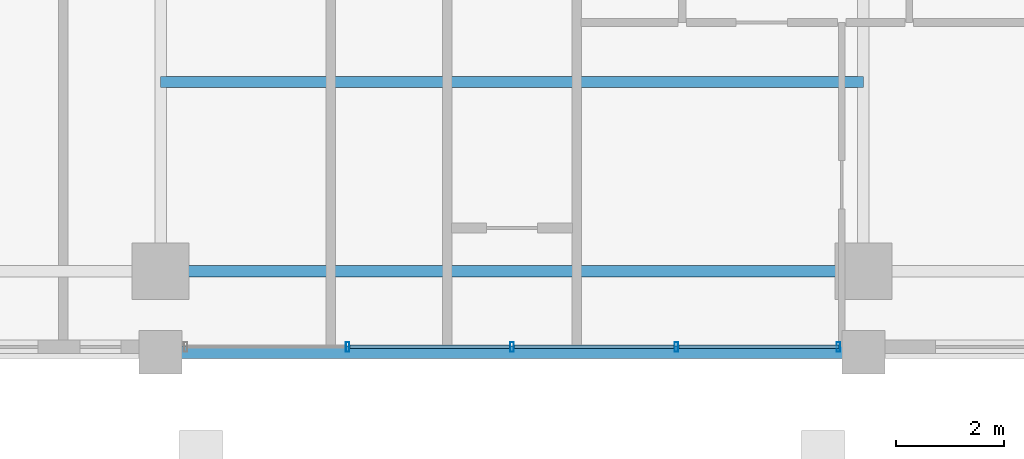
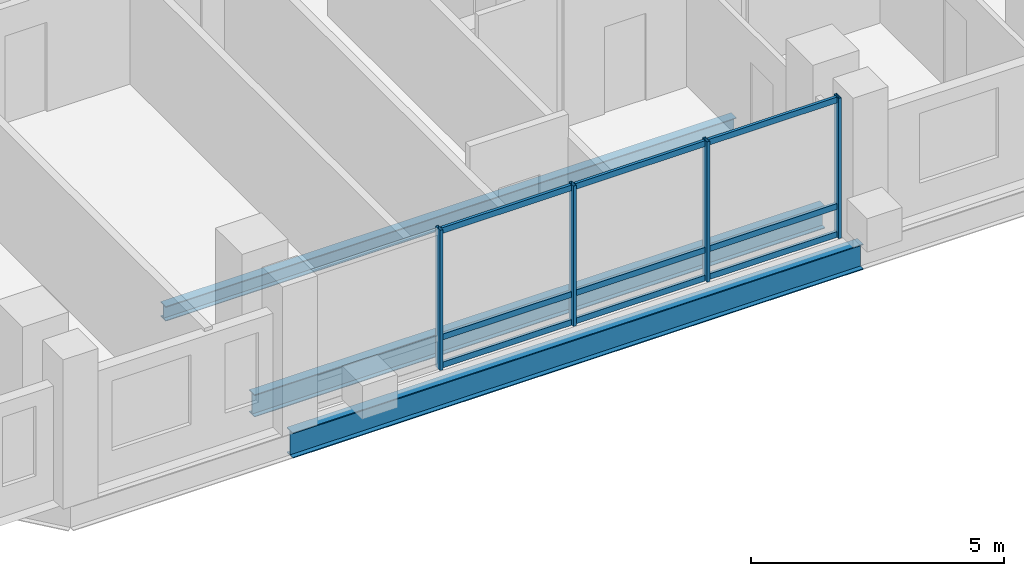
# One storey, part 4 of 24: 13 members, 3 beams, 1 element without a shape of its own.
"""IFC4 building model written with IfcOpenShell, lengths in metres."""

from ifc_helpers import new_model, si_unit, direction, frame, origin, origin_2d, place, context, subcontext, project, spatial, hollow_rectangle, i_section, extrude, material, layer, layer_set, material_profile, profile_set, type_object, element, aggregate, save


model = new_model("IFC4")

# Units and contexts
model_context = context("Model", 3, precision=1e-05, world=origin(), true_north=direction((0.0, 1.0)))
body_context = subcontext(model_context, "Body", "Model", "MODEL_VIEW")
ifc_project = project(units=[si_unit("LENGTHUNIT", "METRE"), si_unit("AREAUNIT", "SQUARE_METRE"), si_unit("VOLUMEUNIT", "CUBIC_METRE"), si_unit("PLANEANGLEUNIT", "RADIAN"), si_unit("MASSUNIT", "GRAM", prefix="KILO")], contexts=[model_context])

# Site, building, storey
site_placement = place(None, origin())
site = spatial("IfcSite", under=ifc_project, at=site_placement, CompositionType="ELEMENT")
building_placement = place(site_placement, origin())
building = spatial("IfcBuilding", under=site, at=building_placement, Name="Barlavira Tower and Art Museum", CompositionType="ELEMENT")
storey_placement = place(building_placement, frame((0.0, 0.0, 180.0)))
storey = spatial("IfcBuildingStorey", under=building, at=storey_placement, Name="L46", CompositionType="ELEMENT", Elevation=180.0)

# Curtain wall, members
ifc_material_1 = material(Name="Low-iron coastal laminated glass", Category="glass")
ifc_layer = layer(ifc_material_1, 0.199951171875, Name="Low-iron coastal laminated glass")
ifc_layer_set = layer_set([ifc_layer], Name="Low-iron coastal laminated glass")
curtain_wall_type = type_object("IfcCurtainWallType", Name="Pale-Metal Unitised Curtain Wall Zone 3", PredefinedType="NOTDEFINED", material=ifc_layer_set)
curtain_wall_placement = place(storey_placement, origin())
curtain_wall = element("IfcCurtainWall", 1, at=curtain_wall_placement, inside=storey, type_object=curtain_wall_type, Name="L46 Curtain Wall CW3-L46-S-B3", PredefinedType="NOTDEFINED")
ifc_material_2 = material(Name="Pale anodised aluminium", Category="aluminium")
ifc_material_profile_1 = material_profile(ifc_material_2, hollow_rectangle(XDim=0.06494140625, YDim=0.179931640625, WallThickness=0.00390625, at=origin_2d()), Name="ALU-MULL 65x180x4")
ifc_profile_set_1 = profile_set([ifc_material_profile_1], Name="Pale anodised aluminium")
member_type_1 = type_object("IfcMemberType", Name="Curtain Wall Pale-Metal Mullion 65x180", PredefinedType="MULLION", material=ifc_profile_set_1)
member_1_placement = place(storey_placement, frame((-3.0400390625, -21.39990234375, 0.0), z_axis=(0.0, 0.0, 1.0), x_axis=(1.0, 0.0, 0.0)))
member_1 = element("IfcMember", 2, at=member_1_placement, type_object=member_type_1, Name="CW3-L46-S-B3 Mullion 1", PredefinedType="MULLION", context=body_context, shape_type="SweptSolid", body=[
    extrude(hollow_rectangle(XDim=0.06494140625, YDim=0.179931640625, WallThickness=0.00390625, at=origin_2d()), origin(), (0.0, 0.0, 1.0), 3.3798828125),
])
member_2_placement = place(storey_placement, frame((0.0, -21.39990234375, 0.0), z_axis=(0.0, 0.0, 1.0), x_axis=(1.0, 0.0, 0.0)))
member_2 = element("IfcMember", 3, at=member_2_placement, type_object=member_type_1, Name="CW3-L46-S-B3 Mullion 2", PredefinedType="MULLION", context=body_context, shape_type="SweptSolid", body=[
    extrude(hollow_rectangle(XDim=0.06494140625, YDim=0.179931640625, WallThickness=0.00390625, at=origin_2d()), origin(), (0.0, 0.0, 1.0), 3.3798828125),
])
member_3_placement = place(storey_placement, frame((3.0400390625, -21.39990234375, 0.0), z_axis=(0.0, 0.0, 1.0), x_axis=(1.0, 0.0, 0.0)))
member_3 = element("IfcMember", 4, at=member_3_placement, type_object=member_type_1, Name="CW3-L46-S-B3 Mullion 3", PredefinedType="MULLION", context=body_context, shape_type="SweptSolid", body=[
    extrude(hollow_rectangle(XDim=0.06494140625, YDim=0.179931640625, WallThickness=0.00390625, at=origin_2d()), origin(), (0.0, 0.0, 1.0), 3.3798828125),
])
member_4_placement = place(storey_placement, frame((6.034912109375, -21.39990234375, 0.0), z_axis=(0.0, 0.0, 1.0), x_axis=(1.0, 0.0, 0.0)))
member_4 = element("IfcMember", 5, at=member_4_placement, type_object=member_type_1, Name="CW3-L46-S-B3 Mullion 4", PredefinedType="MULLION", context=body_context, shape_type="SweptSolid", body=[
    extrude(hollow_rectangle(XDim=0.06494140625, YDim=0.179931640625, WallThickness=0.00390625, at=origin_2d()), origin(), (0.0, 0.0, 1.0), 3.3798828125),
])
ifc_material_profile_2 = material_profile(ifc_material_2, hollow_rectangle(XDim=0.06494140625, YDim=0.139892578125, WallThickness=0.00390625, at=origin_2d()), Name="ALU-TRAN 65x140x4")
ifc_profile_set_2 = profile_set([ifc_material_profile_2], Name="Pale anodised aluminium")
member_type_2 = type_object("IfcMemberType", Name="Curtain Wall Pale-Metal Transom 65x140", PredefinedType="USERDEFINED", material=ifc_profile_set_2)
member_5_placement = place(storey_placement, frame((-2.9951171875, -21.39990234375, 0.070068359375), z_axis=(1.0, 0.0, 0.0), x_axis=(0.0, 1.0, 0.0)))
member_5 = element("IfcMember", 6, at=member_5_placement, type_object=member_type_2, Name="CW3-L46-S-B3 Transom 1.1", ObjectType="TRANSOM", PredefinedType="USERDEFINED", context=body_context, shape_type="SweptSolid", body=[
    extrude(hollow_rectangle(XDim=0.06494140625, YDim=0.139892578125, WallThickness=0.00390625, at=origin_2d()), origin(), (0.0, 0.0, 1.0), 2.9501953125),
])
member_6_placement = place(storey_placement, frame((-2.9951171875, -21.39990234375, 0.743896484375), z_axis=(1.0, 0.0, 0.0), x_axis=(0.0, 1.0, 0.0)))
member_6 = element("IfcMember", 7, at=member_6_placement, type_object=member_type_2, Name="CW3-L46-S-B3 Transom 1.2", ObjectType="TRANSOM", PredefinedType="USERDEFINED", context=body_context, shape_type="SweptSolid", body=[
    extrude(hollow_rectangle(XDim=0.06494140625, YDim=0.139892578125, WallThickness=0.00390625, at=origin_2d()), origin(), (0.0, 0.0, 1.0), 2.9501953125),
])
member_7_placement = place(storey_placement, frame((-2.9951171875, -21.39990234375, 3.31005859375), z_axis=(1.0, 0.0, 0.0), x_axis=(0.0, 1.0, 0.0)))
member_7 = element("IfcMember", 8, at=member_7_placement, type_object=member_type_2, Name="CW3-L46-S-B3 Transom 1.3", ObjectType="TRANSOM", PredefinedType="USERDEFINED", context=body_context, shape_type="SweptSolid", body=[
    extrude(hollow_rectangle(XDim=0.06494140625, YDim=0.139892578125, WallThickness=0.00390625, at=origin_2d()), origin(), (0.0, 0.0, 1.0), 2.9501953125),
])
member_8_placement = place(storey_placement, frame((0.044921875, -21.39990234375, 0.070068359375), z_axis=(1.0, 0.0, 0.0), x_axis=(0.0, 1.0, 0.0)))
member_8 = element("IfcMember", 9, at=member_8_placement, type_object=member_type_2, Name="CW3-L46-S-B3 Transom 2.1", ObjectType="TRANSOM", PredefinedType="USERDEFINED", context=body_context, shape_type="SweptSolid", body=[
    extrude(hollow_rectangle(XDim=0.06494140625, YDim=0.139892578125, WallThickness=0.00390625, at=origin_2d()), origin(), (0.0, 0.0, 1.0), 2.9501953125),
])
member_9_placement = place(storey_placement, frame((0.044921875, -21.39990234375, 0.743896484375), z_axis=(1.0, 0.0, 0.0), x_axis=(0.0, 1.0, 0.0)))
member_9 = element("IfcMember", 10, at=member_9_placement, type_object=member_type_2, Name="CW3-L46-S-B3 Transom 2.2", ObjectType="TRANSOM", PredefinedType="USERDEFINED", context=body_context, shape_type="SweptSolid", body=[
    extrude(hollow_rectangle(XDim=0.06494140625, YDim=0.139892578125, WallThickness=0.00390625, at=origin_2d()), origin(), (0.0, 0.0, 1.0), 2.9501953125),
])
member_10_placement = place(storey_placement, frame((0.044921875, -21.39990234375, 3.31005859375), z_axis=(1.0, 0.0, 0.0), x_axis=(0.0, 1.0, 0.0)))
member_10 = element("IfcMember", 11, at=member_10_placement, type_object=member_type_2, Name="CW3-L46-S-B3 Transom 2.3", ObjectType="TRANSOM", PredefinedType="USERDEFINED", context=body_context, shape_type="SweptSolid", body=[
    extrude(hollow_rectangle(XDim=0.06494140625, YDim=0.139892578125, WallThickness=0.00390625, at=origin_2d()), origin(), (0.0, 0.0, 1.0), 2.9501953125),
])
member_11_placement = place(storey_placement, frame((3.0849609375, -21.39990234375, 0.070068359375), z_axis=(1.0, 0.0, 0.0), x_axis=(0.0, 1.0, 0.0)))
member_11 = element("IfcMember", 12, at=member_11_placement, type_object=member_type_2, Name="CW3-L46-S-B3 Transom 3.1", ObjectType="TRANSOM", PredefinedType="USERDEFINED", context=body_context, shape_type="SweptSolid", body=[
    extrude(hollow_rectangle(XDim=0.06494140625, YDim=0.139892578125, WallThickness=0.00390625, at=origin_2d()), origin(), (0.0, 0.0, 1.0), 2.949951171875),
])
member_12_placement = place(storey_placement, frame((3.0849609375, -21.39990234375, 0.743896484375), z_axis=(1.0, 0.0, 0.0), x_axis=(0.0, 1.0, 0.0)))
member_12 = element("IfcMember", 13, at=member_12_placement, type_object=member_type_2, Name="CW3-L46-S-B3 Transom 3.2", ObjectType="TRANSOM", PredefinedType="USERDEFINED", context=body_context, shape_type="SweptSolid", body=[
    extrude(hollow_rectangle(XDim=0.06494140625, YDim=0.139892578125, WallThickness=0.00390625, at=origin_2d()), origin(), (0.0, 0.0, 1.0), 2.949951171875),
])
member_13_placement = place(storey_placement, frame((3.0849609375, -21.39990234375, 3.31005859375), z_axis=(1.0, 0.0, 0.0), x_axis=(0.0, 1.0, 0.0)))
member_13 = element("IfcMember", 14, at=member_13_placement, type_object=member_type_2, Name="CW3-L46-S-B3 Transom 3.3", ObjectType="TRANSOM", PredefinedType="USERDEFINED", context=body_context, shape_type="SweptSolid", body=[
    extrude(hollow_rectangle(XDim=0.06494140625, YDim=0.139892578125, WallThickness=0.00390625, at=origin_2d()), origin(), (0.0, 0.0, 1.0), 2.949951171875),
])
aggregate(curtain_wall, [member_1, member_2, member_3, member_4, member_5, member_6, member_7, member_8, member_9, member_10, member_11, member_12, member_13])

# Beams
ifc_material_3 = material(Name="Steel S355", Category="steel")
ifc_material_profile_3 = material_profile(ifc_material_3, i_section(OverallWidth=0.22998046875, OverallDepth=0.616943359375, WebThickness=0.01318359375, FlangeThickness=0.022216796875, at=origin_2d()), Name="W610x140.0")
ifc_profile_set_3 = profile_set([ifc_material_profile_3], Name="Steel S355")
beam_type_1 = type_object("IfcBeamType", Name="Upper Shaft Spandrel Edge Beam W610x140 Steel S355", PredefinedType="SPANDREL", material=ifc_profile_set_3)
beam_1_placement = place(storey_placement, frame((-6.5, -21.5, -0.528564453125), z_axis=(1.0, 0.0, 0.0), x_axis=(0.0, 1.0, 0.0)))
element("IfcBeam", 15, at=beam_1_placement, inside=storey, type_object=beam_type_1, Name="L46 Spandrel 2", PredefinedType="SPANDREL", context=body_context, shape_type="SweptSolid", body=[
    extrude(i_section(OverallWidth=0.22998046875, OverallDepth=0.616943359375, WebThickness=0.01318359375, FlangeThickness=0.022216796875, at=origin_2d()), origin(), (0.0, 0.0, 1.0), 13.0),
])
ifc_material_profile_4 = material_profile(ifc_material_3, i_section(OverallWidth=0.205078125, OverallDepth=0.35400390625, WebThickness=0.009521484375, FlangeThickness=0.016845703125, at=origin_2d()), Name="W360x79.0")
ifc_profile_set_4 = profile_set([ifc_material_profile_4], Name="Steel S355")
beam_type_2 = type_object("IfcBeamType", Name="Zone 3 Composite Floor Joist W360x79 Steel S355", PredefinedType="JOIST", material=ifc_profile_set_4)
beam_2_placement = place(storey_placement, frame((-6.5, -16.5, -0.39697265625), z_axis=(1.0, 0.0, 0.0), x_axis=(0.0, 1.0, 0.0)))
element("IfcBeam", 16, at=beam_2_placement, inside=storey, type_object=beam_type_2, Name="L46 Joist C1", PredefinedType="JOIST", context=body_context, shape_type="SweptSolid", body=[
    extrude(i_section(OverallWidth=0.205078125, OverallDepth=0.35400390625, WebThickness=0.009521484375, FlangeThickness=0.016845703125, at=origin_2d()), origin(), (0.0, 0.0, 1.0), 13.0),
])
ifc_material_profile_5 = material_profile(ifc_material_3, i_section(OverallWidth=0.2109375, OverallDepth=0.5390625, WebThickness=0.01171875, FlangeThickness=0.018798828125, at=origin_2d()), Name="W530x109.0")
ifc_profile_set_5 = profile_set([ifc_material_profile_5], Name="Steel S355")
beam_type_3 = type_object("IfcBeamType", Name="Zone 3-4 Primary Floor Girder W530x109 Steel S355", PredefinedType="BEAM", material=ifc_profile_set_5)
beam_3_placement = place(storey_placement, frame((-6.5, -20.0, -0.489501953125), z_axis=(1.0, 0.0, 0.0), x_axis=(0.0, 1.0, 0.0)))
element("IfcBeam", 17, at=beam_3_placement, inside=storey, type_object=beam_type_3, Name="L46 Girder M-S2", PredefinedType="BEAM", context=body_context, shape_type="SweptSolid", body=[
    extrude(i_section(OverallWidth=0.2109375, OverallDepth=0.5390625, WebThickness=0.01171875, FlangeThickness=0.018798828125, at=origin_2d()), origin(), (0.0, 0.0, 1.0), 13.0),
])

save(model, "model.ifc")
